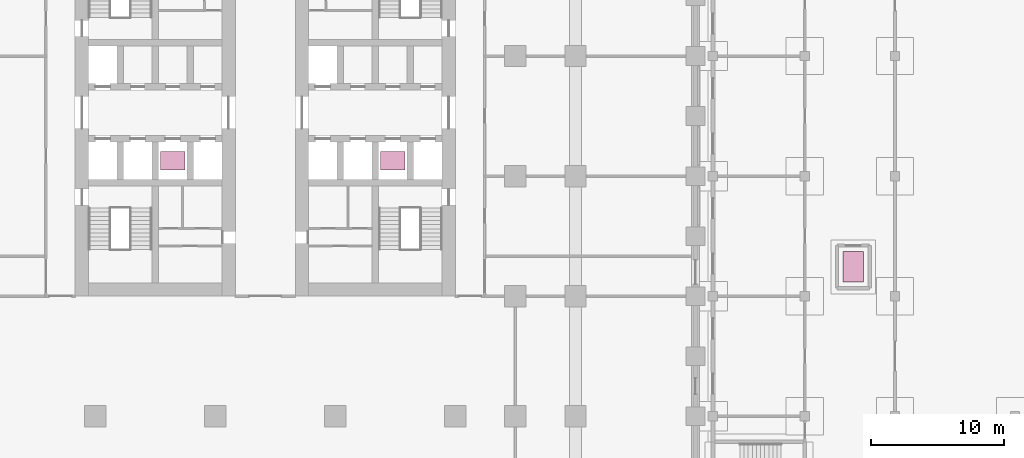
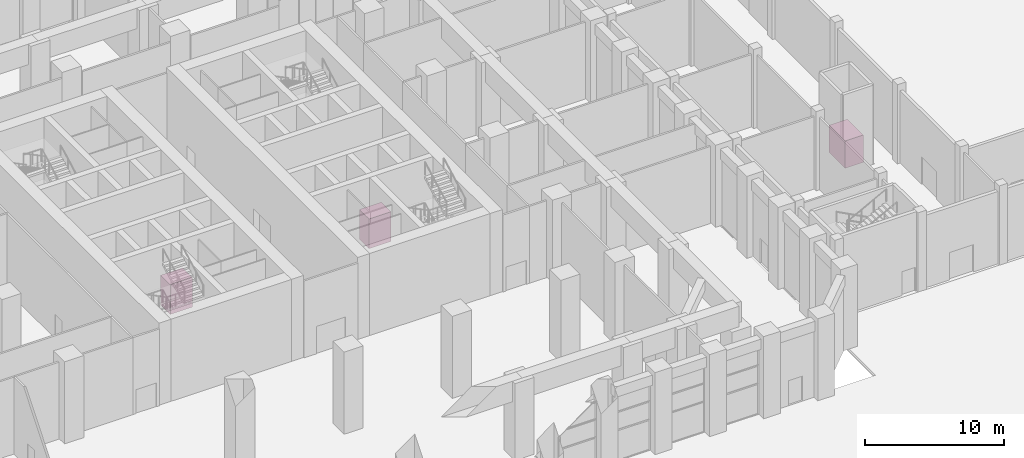
# One storey, part 30 of 30: 3 transport elements.
"""IFC4 building model written with IfcOpenShell, lengths in metres."""

import ifcopenshell
import ifcopenshell.guid

model = None  # the IFC model being written
_history = None  # IfcOwnerHistory: only IFC2X3 demands one
_inside = {}  # id of a spatial element -> (the spatial element, [elements in it])
_under = {}  # id of a project, library or spatial element -> (it, [spatial elements below it])
_declared = {}  # id of a project -> (the project, [libraries it declares])
_typed = {}  # id of a type object -> (the type object, [elements of that type])
_made_of = {}  # id of a material, layer set ... -> (it, [elements and type objects made of it])


def new_model(schema):
    """Start an empty IFC model of exactly this schema.

    Asked for "IFC4X3", IfcOpenShell would pick the latest addendum, in which some entities
    have other attributes; the version numbers below select the first issue.
    IFC2X3 requires an IfcOwnerHistory on every rooted entity: one is made here for all.
    """
    global model, _history
    if schema == "IFC4X3":
        model = ifcopenshell.file(schema_version=(4, 3, 0, 0))
    else:
        model = ifcopenshell.file(schema=schema)
    _inside.clear()
    _under.clear()
    _declared.clear()
    _typed.clear()
    _made_of.clear()
    _history = None
    if model.schema == "IFC2X3":
        org = make("IfcOrganization", Name="unknown")
        user = make(
            "IfcPersonAndOrganization",
            ThePerson=make("IfcPerson", FamilyName="unknown"),
            TheOrganization=org,
        )
        app = make(
            "IfcApplication",
            ApplicationDeveloper=org,
            Version="unknown",
            ApplicationFullName="unknown",
            ApplicationIdentifier="unknown",
        )
        _history = make(
            "IfcOwnerHistory",
            OwningUser=user,
            OwningApplication=app,
            ChangeAction="ADDED",
            CreationDate=0,
        )
    return model


def make(cls, **values):
    """One entity of the class cls with the attributes given. An attribute that is None is left unset."""
    return model.create_entity(
        cls, **{name: value for name, value in values.items() if value is not None}
    )


def rooted(cls, **values):
    """An entity with a GlobalId (a new one), such as an element, a storey or a relation."""
    return make(cls, GlobalId=ifcopenshell.guid.new(), OwnerHistory=_history, **values)


def si_unit(unit_type, name, prefix=None):
    """IfcSIUnit, for example si_unit("LENGTHUNIT", "METRE", prefix="MILLI")."""
    return make("IfcSIUnit", UnitType=unit_type, Prefix=prefix, Name=name)


def assignment(units):
    """IfcUnitAssignment: the units of a project."""
    return None if units is None else make("IfcUnitAssignment", Units=units)


def point(xyz):
    """IfcCartesianPoint."""
    return None if xyz is None else make("IfcCartesianPoint", Coordinates=xyz)


def direction(xyz):
    """IfcDirection."""
    return None if xyz is None else make("IfcDirection", DirectionRatios=xyz)


def frame(location, z_axis=None, x_axis=None):
    """IfcAxis2Placement3D, a coordinate frame: its origin and axes. An axis left out is left unset."""
    return make(
        "IfcAxis2Placement3D",
        Location=point(location),
        Axis=direction(z_axis),
        RefDirection=direction(x_axis),
    )


def frame_2d(location, x_axis=None):
    """IfcAxis2Placement2D, a coordinate frame in the plane: its origin and x axis."""
    return make(
        "IfcAxis2Placement2D", Location=point(location), RefDirection=direction(x_axis)
    )


def origin():
    """The frame at (0, 0, 0) with its axes left unset."""
    return frame((0.0, 0.0, 0.0))


def origin_2d():
    """The frame at (0, 0) in the plane with its x axis left unset."""
    return frame_2d((0.0, 0.0))


def place(relative_to, where):
    """IfcLocalPlacement: puts the frame where relative to a parent placement (None: the world)."""
    return make(
        "IfcLocalPlacement", PlacementRelTo=relative_to, RelativePlacement=where
    )


def context(
    kind, dimensions, precision=None, world=None, true_north=None, identifier=None
):
    """IfcGeometricRepresentationContext, for example the 3D "Model" context."""
    return make(
        "IfcGeometricRepresentationContext",
        ContextIdentifier=identifier,
        ContextType=kind,
        CoordinateSpaceDimension=dimensions,
        Precision=precision,
        WorldCoordinateSystem=world,
        TrueNorth=true_north,
    )


def subcontext(parent, identifier, kind, view, scale=None):
    """IfcGeometricRepresentationSubContext, for example "Body" below "Model"."""
    return make(
        "IfcGeometricRepresentationSubContext",
        ContextIdentifier=identifier,
        ContextType=kind,
        ParentContext=parent,
        TargetScale=scale,
        TargetView=view,
    )


def project(units=None, contexts=None):
    """IfcProject with its units and contexts."""
    return rooted(
        "IfcProject",
        Name="project",
        RepresentationContexts=contexts,
        UnitsInContext=assignment(units),
    )


def spatial(cls, under=None, at=None, **own):
    """A site, building, storey or space (cls), placed at a placement, below another one or the project."""
    s = rooted(cls, ObjectPlacement=at, **own)
    if under is not None:
        _under.setdefault(under.id(), (under, []))[1].append(s)
    return s


def profile(cls, at=None, kind="AREA", **sizes):
    """A parametric profile (cls). Its sizes go by their IFC names, for example OverallWidth=200.0."""
    return make(cls, ProfileType=kind, Position=at, **sizes)


def rectangle(**sizes):
    """IfcRectangleProfileDef."""
    return profile("IfcRectangleProfileDef", **sizes)


def extrude(swept, where, along, depth):
    """IfcExtrudedAreaSolid: the profile swept, set in the frame where, extruded along a direction by depth."""
    return make(
        "IfcExtrudedAreaSolid",
        SweptArea=swept,
        Position=where,
        ExtrudedDirection=direction(along),
        Depth=depth,
    )


def shape(context_of_items, identifier, shape_type, items):
    """IfcShapeRepresentation: the items that make up one representation, for example the "Body"."""
    return make(
        "IfcShapeRepresentation",
        ContextOfItems=context_of_items,
        RepresentationIdentifier=identifier,
        RepresentationType=shape_type,
        Items=items,
    )


def material(Name=None, Category=None):
    """IfcMaterial."""
    return make("IfcMaterial", Name=Name, Category=Category)


def made_of(thing, what):
    """Note that an element or type object is made of a material, layer set ...; save() writes the relation."""
    if what is not None:
        _made_of.setdefault(what.id(), (what, []))[1].append(thing)
    return thing


def type_object(cls, material=None, **own):
    """A type object (cls), such as IfcWallType, which elements share."""
    return made_of(rooted(cls, **own), material)


def element(
    cls,
    number,
    at=None,
    inside=None,
    cuts=None,
    type_object=None,
    material=None,
    context=None,
    identifier="Body",
    shape_type=None,
    held_by="IfcProductDefinitionShape",
    body=None,
    shapes=None,
    **own,
):
    """One element of the class cls, such as IfcWall. Its Tag is "e" and its number.

    at: its placement. inside: the storey or other place that contains it. cuts: it is an
    opening in that element (IfcRelVoidsElement). A single representation is given by context,
    identifier, shape_type and body (its items); several are given by shapes. held_by: the class
    of the entity that holds the representations. save() writes the other relations.
    """
    e = rooted(cls, Tag="e%d" % number, ObjectPlacement=at, **own)
    if body is not None:
        shapes = [shape(context, identifier, shape_type, body)]
    if shapes is not None:
        e.Representation = make(held_by, Representations=shapes)
    if inside is not None:
        _inside.setdefault(inside.id(), (inside, []))[1].append(e)
    if cuts is not None:
        rooted(
            "IfcRelVoidsElement", RelatingBuildingElement=cuts, RelatedOpeningElement=e
        )
    if type_object is not None:
        _typed.setdefault(type_object.id(), (type_object, []))[1].append(e)
    return made_of(e, material)


def aggregate(whole, parts):
    """IfcRelAggregates: a whole, such as a stair, and the parts it consists of."""
    return rooted("IfcRelAggregates", RelatingObject=whole, RelatedObjects=parts)


def save(model, path):
    """Write the relations noted so far, then the file.

    IfcRelAggregates (storeys below a building ...), IfcRelContainedInSpatialStructure (elements
    in a storey), IfcRelDefinesByType, IfcRelAssociatesMaterial and IfcRelDeclares: one each for
    every whole, place, type object, material and project.
    """
    for whole, parts in _under.values():
        aggregate(whole, parts)
    for where, things in _inside.values():
        rooted(
            "IfcRelContainedInSpatialStructure",
            RelatedElements=things,
            RelatingStructure=where,
        )
    for kind, things in _typed.values():
        rooted("IfcRelDefinesByType", RelatedObjects=things, RelatingType=kind)
    for what, things in _made_of.values():
        rooted("IfcRelAssociatesMaterial", RelatedObjects=things, RelatingMaterial=what)
    for by, libraries in _declared.values():
        rooted("IfcRelDeclares", RelatingContext=by, RelatedDefinitions=libraries)
    model.write(path)


model = new_model("IFC4")

# Units and contexts
model_context = context("Model", 3, precision=1e-05, world=origin(), true_north=direction((0.0, 1.0)))
body_context = subcontext(model_context, "Body", "Model", "MODEL_VIEW")
ifc_project = project(units=[si_unit("LENGTHUNIT", "METRE"), si_unit("AREAUNIT", "SQUARE_METRE"), si_unit("VOLUMEUNIT", "CUBIC_METRE"), si_unit("PLANEANGLEUNIT", "RADIAN"), si_unit("MASSUNIT", "GRAM", prefix="KILO")], contexts=[model_context])

# Site, building, storey
site_placement = place(None, origin())
site = spatial("IfcSite", under=ifc_project, at=site_placement, CompositionType="ELEMENT")
building_placement = place(site_placement, origin())
building = spatial("IfcBuilding", under=site, at=building_placement, Name="Corbel Stack Research Tower", CompositionType="ELEMENT")
storey_placement = place(building_placement, origin())
storey = spatial("IfcBuildingStorey", under=building, at=storey_placement, Name="L00", CompositionType="ELEMENT", Elevation=0.0)

# Transport elements
ifc_material_1 = material(Name="Stainless steel", Category="steel")
transport_element_type_1 = type_object("IfcTransportElementType", Name="Express shuttle lift car 1725 x 1295", PredefinedType="ELEVATOR", material=ifc_material_1)
for number, where, z_axis, x_axis, name in (
    (1, (-3.1875, 1.14990234375, 0.0), (0.0, 0.0, 1.0), (1.0, 0.0, 0.0), "Lift SH1"),
    (2, (13.3125, 1.14990234375, 0.0), (0.0, 0.0, 1.0), (1.0, 0.0, 0.0), "Lift SH2"),
):
    element("IfcTransportElement", number, at=place(storey_placement, frame(where, z_axis=z_axis, x_axis=x_axis)), inside=storey, type_object=transport_element_type_1, Name=name, PredefinedType="ELEVATOR", context=body_context, shape_type="SweptSolid", body=[
        extrude(rectangle(XDim=1.824951171875, YDim=1.39501953125, at=origin_2d()), origin(), (0.0, 0.0, 1.0), 2.60009765625),
    ])
ifc_material_2 = material(Name="Steel S235", Category="steel")
transport_element_type_2 = type_object("IfcTransportElementType", Name="HL1 accessible lift", PredefinedType="ELEVATOR", material=ifc_material_2)
transport_element_placement = place(storey_placement, frame((47.824951171875, -6.800048828125, 0.0), z_axis=(0.0, 0.0, 1.0), x_axis=(1.0, 0.0, 0.0)))
element("IfcTransportElement", 3, at=transport_element_placement, inside=storey, type_object=transport_element_type_2, Name="Lift HL1", PredefinedType="ELEVATOR", context=body_context, shape_type="SweptSolid", body=[
    extrude(rectangle(XDim=1.52490234375, YDim=2.300048828125, at=origin_2d()), origin(), (0.0, 0.0, 1.0), 2.39990234375),
])

save(model, "model.ifc")
